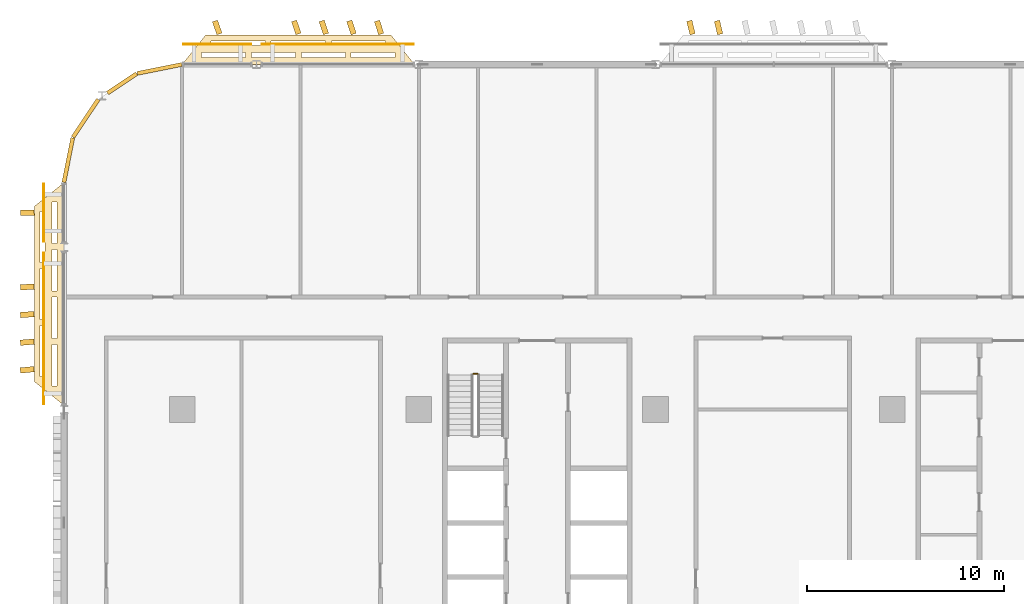
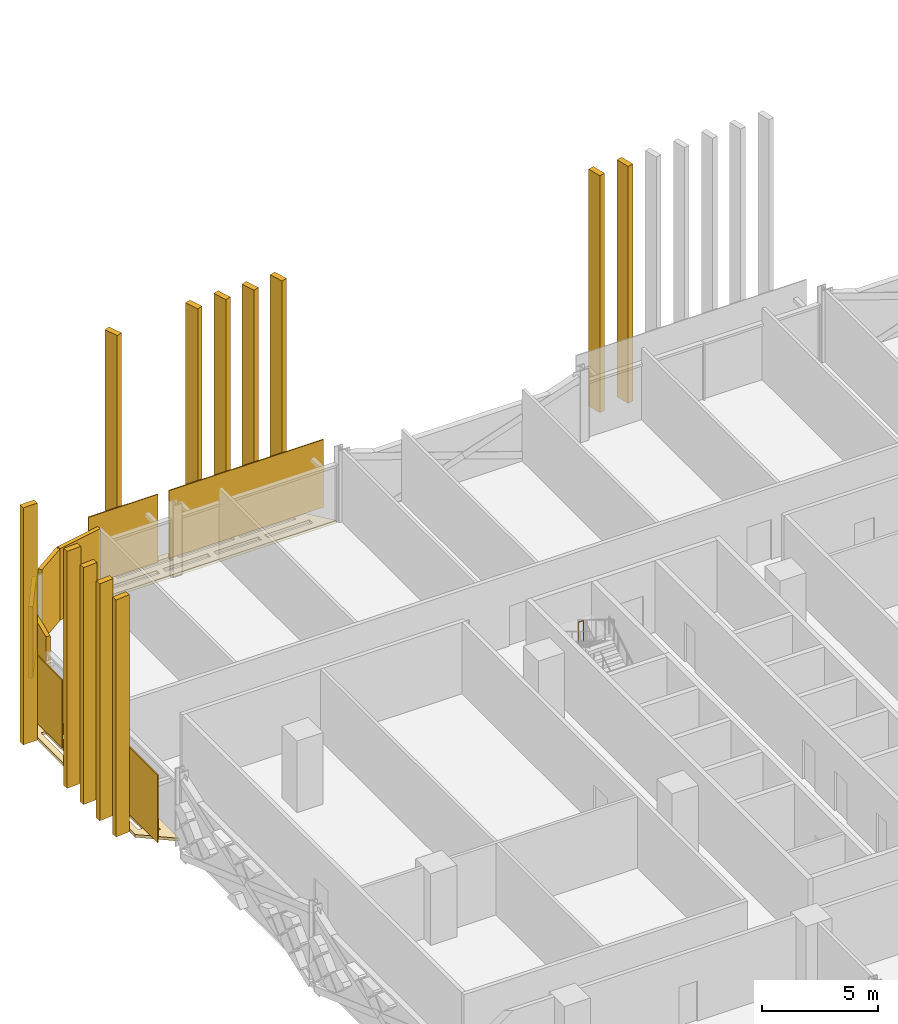
# One storey, part 27 of 33: 22 coverings, 1 railing.
"""IFC4 building model written with IfcOpenShell, lengths in metres."""

from ifc_helpers import new_model, si_unit, direction, frame, origin, origin_2d, place, context, subcontext, project, spatial, polyline, rectangle, circle, outline, extrude, material, layer, layer_set, type_object, element, save


model = new_model("IFC4")

# Units and contexts
model_context = context("Model", 3, precision=1e-05, world=origin(), true_north=direction((0.0, 1.0)))
body_context = subcontext(model_context, "Body", "Model", "MODEL_VIEW")
ifc_project = project(units=[si_unit("LENGTHUNIT", "METRE"), si_unit("AREAUNIT", "SQUARE_METRE"), si_unit("VOLUMEUNIT", "CUBIC_METRE"), si_unit("PLANEANGLEUNIT", "RADIAN"), si_unit("MASSUNIT", "GRAM", prefix="KILO")], contexts=[model_context])

# Site, building, storey
site_placement = place(None, origin())
site = spatial("IfcSite", under=ifc_project, at=site_placement, CompositionType="ELEMENT")
building_placement = place(site_placement, origin())
building = spatial("IfcBuilding", under=site, at=building_placement, Name="Mahtab Terrace Research Tower", CompositionType="ELEMENT")
storey_placement = place(building_placement, frame((0.0, 0.0, 122.0)))
storey = spatial("IfcBuildingStorey", under=building, at=storey_placement, Name="L28", CompositionType="ELEMENT", Elevation=122.0)

# Coverings
ifc_material_1 = material(Name="Black aluminium cladding panel", Category="aluminium")
ifc_layer_1 = layer(ifc_material_1, 0.199951171875)
ifc_layer_set_1 = layer_set([ifc_layer_1], Name="Black metal corner cladding 200")
covering_type_1 = type_object("IfcCoveringType", Name="Black metal corner cladding 200", PredefinedType="CLADDING", material=ifc_layer_set_1)
covering_1_placement = place(storey_placement, frame((-43.14794921875, 28.771484375, 0.0), z_axis=(0.0, 0.0, 1.0), x_axis=(-0.980760981187, -0.195212442692, 0.0)))
element("IfcCovering", 1, at=covering_1_placement, inside=storey, type_object=covering_type_1, Name="Corner cladding L28 11", PredefinedType="CLADDING", context=body_context, shape_type="SweptSolid", body=[
    extrude(rectangle(XDim=2.30126953125, YDim=0.199951171875, at=origin_2d()), origin(), (0.0, 0.0, 1.0), 3.760009765625),
])
covering_2_placement = place(storey_placement, frame((-45.049560546875, 28.039794921875, 0.0), z_axis=(0.0, 0.0, 1.0), x_axis=(-0.831655794326, -0.555291490808, 0.0)))
element("IfcCovering", 2, at=covering_2_placement, inside=storey, type_object=covering_type_1, Name="Corner cladding L28 12", PredefinedType="CLADDING", context=body_context, shape_type="SweptSolid", body=[
    extrude(rectangle(XDim=1.772216796875, YDim=0.199951171875, at=origin_2d()), origin(), (0.0, 0.0, 1.0), 3.760009765625),
])
for number, where, z_axis, x_axis, name in (
    (3, (-46.89306640625, 26.26953125, 0.0), (0.0, 0.0, 1.0), (-0.555291490808, -0.831655794326, 0.0), "Corner cladding L28 13"),
    (4, (-47.771484375, 24.14794921875, 0.0), (0.0, 0.0, 1.0), (-0.195212442692, -0.980760981187, 0.0), "Corner cladding L28 14"),
):
    element("IfcCovering", number, at=place(storey_placement, frame(where, z_axis=z_axis, x_axis=x_axis)), inside=storey, type_object=covering_type_1, Name=name, PredefinedType="CLADDING", context=body_context, shape_type="SweptSolid", body=[
        extrude(rectangle(XDim=2.30126953125, YDim=0.199951171875, at=origin_2d()), origin(), (0.0, 0.0, 1.0), 3.760009765625),
    ])
ifc_material_2 = material(Name="Black anodised aluminium", Category="aluminium")
ifc_layer_2 = layer(ifc_material_2, 0.14990234375)
ifc_layer_set_2 = layer_set([ifc_layer_2], Name="Horizontal sunshade band")
covering_type_2 = type_object("IfcCoveringType", Name="Horizontal sunshade band", PredefinedType="CLADDING", material=ifc_layer_set_2)
covering_3_placement = place(storey_placement, frame((0.0, 0.0, -0.14990234375)))
element("IfcCovering", 5, at=covering_3_placement, inside=storey, type_object=covering_type_2, Name="Sunshade band L28 9", PredefinedType="CLADDING", context=body_context, shape_type="SweptSolid", body=[
    extrude(outline(polyline([(-30.218017578125, 29.0), (-42.0, 29.0), (-40.800048828125, 30.5), (-31.41796875, 30.5), (-30.218017578125, 29.0)]), holes=[polyline([(-31.197998046875, 29.35009765625), (-33.427978515625, 29.35009765625), (-33.427978515625, 29.60009765625), (-31.197998046875, 29.60009765625), (-31.197998046875, 29.35009765625)]), polyline([(-33.72900390625, 29.35009765625), (-35.958984375, 29.35009765625), (-35.958984375, 29.60009765625), (-33.72900390625, 29.60009765625), (-33.72900390625, 29.35009765625)]), polyline([(-36.259033203125, 29.35009765625), (-38.489013671875, 29.35009765625), (-38.489013671875, 29.60009765625), (-36.259033203125, 29.60009765625), (-36.259033203125, 29.35009765625)]), polyline([(-38.7900390625, 29.35009765625), (-41.02001953125, 29.35009765625), (-41.02001953125, 29.60009765625), (-38.7900390625, 29.60009765625), (-38.7900390625, 29.35009765625)]), polyline([(-31.677978515625, 29.949951171875), (-34.431884765625, 29.949951171875), (-34.431884765625, 30.199951171875), (-31.677978515625, 30.199951171875), (-31.677978515625, 29.949951171875)]), polyline([(-34.73193359375, 29.949951171875), (-37.486083984375, 29.949951171875), (-37.486083984375, 30.199951171875), (-34.73193359375, 30.199951171875), (-34.73193359375, 29.949951171875)]), polyline([(-37.785888671875, 29.949951171875), (-40.5400390625, 29.949951171875), (-40.5400390625, 30.199951171875), (-37.785888671875, 30.199951171875), (-37.785888671875, 29.949951171875)])]), origin(), (0.0, 0.0, 1.0), 0.14990234375),
])
covering_4_placement = place(storey_placement, frame((0.0, 0.0, -0.14990234375)))
element("IfcCovering", 6, at=covering_4_placement, inside=storey, type_object=covering_type_2, Name="Sunshade band L28 15", PredefinedType="CLADDING", context=body_context, shape_type="SweptSolid", body=[
    extrude(outline(polyline([(-48.0, 23.0), (-48.0, 11.718017578125), (-49.5, 12.91796875), (-49.5, 21.800048828125), (-48.0, 23.0)]), holes=[polyline([(-48.35009765625, 22.02001953125), (-48.35009765625, 19.9150390625), (-48.60009765625, 19.9150390625), (-48.60009765625, 22.02001953125), (-48.35009765625, 22.02001953125)]), polyline([(-48.35009765625, 19.614013671875), (-48.35009765625, 17.509033203125), (-48.60009765625, 17.509033203125), (-48.60009765625, 19.614013671875), (-48.35009765625, 19.614013671875)]), polyline([(-48.35009765625, 17.208984375), (-48.35009765625, 15.10400390625), (-48.60009765625, 15.10400390625), (-48.60009765625, 17.208984375), (-48.35009765625, 17.208984375)]), polyline([(-48.35009765625, 14.803955078125), (-48.35009765625, 12.697998046875), (-48.60009765625, 12.697998046875), (-48.60009765625, 14.803955078125), (-48.35009765625, 14.803955078125)]), polyline([(-48.949951171875, 21.5400390625), (-48.949951171875, 18.952880859375), (-49.199951171875, 18.952880859375), (-49.199951171875, 21.5400390625), (-48.949951171875, 21.5400390625)]), polyline([(-48.949951171875, 18.653076171875), (-48.949951171875, 16.06494140625), (-49.199951171875, 16.06494140625), (-49.199951171875, 18.653076171875), (-48.949951171875, 18.653076171875)]), polyline([(-48.949951171875, 15.764892578125), (-48.949951171875, 13.177978515625), (-49.199951171875, 13.177978515625), (-49.199951171875, 15.764892578125), (-48.949951171875, 15.764892578125)])]), origin(), (0.0, 0.0, 1.0), 0.14990234375),
])
ifc_material_3 = material(Name="Bronze anodised aluminium", Category="aluminium")
ifc_layer_3 = layer(ifc_material_3, 0.050048828125)
ifc_layer_set_3 = layer_set([ifc_layer_3], Name="Sky lounge girih screen panel")
covering_type_3 = type_object("IfcCoveringType", Name="Sky lounge girih screen panel", PredefinedType="CLADDING", material=ifc_layer_set_3)
covering_5_placement = place(storey_placement, frame((-34.115478515625, 30.02490234375, 0.099853515625), z_axis=(0.0, 0.0, 1.0), x_axis=(-1.0, 0.0, 0.0)))
element("IfcCovering", 7, at=covering_5_placement, inside=storey, type_object=covering_type_3, Name="Girih screen L28 N10", PredefinedType="CLADDING", context=body_context, shape_type="SweptSolid", body=[
    extrude(rectangle(XDim=7.695068359375, YDim=0.050048828125, at=origin_2d()), origin(), (0.0, 0.0, 1.0), 3.56005859375),
])
covering_6_placement = place(storey_placement, frame((-40.224609375, 30.02490234375, 0.099853515625), z_axis=(0.0, 0.0, 1.0), x_axis=(-1.0, 0.0, 0.0)))
element("IfcCovering", 8, at=covering_6_placement, inside=storey, type_object=covering_type_3, Name="Girih screen L28 N11", PredefinedType="CLADDING", context=body_context, shape_type="SweptSolid", body=[
    extrude(rectangle(XDim=3.450927734375, YDim=0.050048828125, at=origin_2d()), origin(), (0.0, 0.0, 1.0), 3.56005859375),
])
covering_7_placement = place(storey_placement, frame((-49.02490234375, 21.474609375, 0.099853515625), z_axis=(0.0, 0.0, 1.0), x_axis=(0.0, -1.0, 0.0)))
element("IfcCovering", 9, at=covering_7_placement, inside=storey, type_object=covering_type_3, Name="Girih screen L28 W16", PredefinedType="CLADDING", context=body_context, shape_type="SweptSolid", body=[
    extrude(rectangle(XDim=2.950927734375, YDim=0.050048828125, at=origin_2d()), origin(), (0.0, 0.0, 1.0), 3.56005859375),
])
covering_8_placement = place(storey_placement, frame((-49.02490234375, 15.615478515625, 0.099853515625), z_axis=(0.0, 0.0, 1.0), x_axis=(0.0, -1.0, 0.0)))
element("IfcCovering", 10, at=covering_8_placement, inside=storey, type_object=covering_type_3, Name="Girih screen L28 W17", PredefinedType="CLADDING", context=body_context, shape_type="SweptSolid", body=[
    extrude(rectangle(XDim=7.695068359375, YDim=0.050048828125, at=origin_2d()), origin(), (0.0, 0.0, 1.0), 3.56005859375),
])

# Railing
ifc_material_4 = material(Name="Stainless steel AISI 304", Category="steel")
railing_type = type_object("IfcRailingType", Name="Stair guard 1100", PredefinedType="GUARDRAIL", material=ifc_material_4)
railing_placement = place(storey_placement, frame((-27.0, 13.304931640625, 2.050048828125)))
element("IfcRailing", 11, at=railing_placement, inside=storey, type_object=railing_type, Name="L28 ST1 stair guard 2", PredefinedType="GUARDRAIL", context=body_context, shape_type="SweptSolid", body=[
    extrude(circle(Radius=0.02392578125, at=origin_2d()), frame((0.0, 0.0, 1.076171875), z_axis=(-1.0, 0.0, 0.0), x_axis=(0.0, -1.0, 0.0)), (0.0, 0.0, 1.0), 0.25),
    extrude(circle(Radius=0.02099609375, at=origin_2d()), origin(), (0.0, 0.0, 1.0), 1.052001953125),
    extrude(circle(Radius=0.02099609375, at=origin_2d()), frame((-0.25, 0.0, 0.0)), (0.0, 0.0, 1.0), 1.052001953125),
])

# Coverings
ifc_layer_4 = layer(ifc_material_3, 0.1201171875)
ifc_layer_set_4 = layer_set([ifc_layer_4], Name="Vertical fin 700")
covering_type_4 = type_object("IfcCoveringType", Name="Vertical fin 700", PredefinedType="CLADDING", material=ifc_layer_set_4)
for number, where, z_axis, x_axis, name in (
    (12, (-14.800048828125, 30.873046875, -0.14990234375), (0.0, 0.0, 1.0), (-0.972272827152, -0.233849416469, 0.0), "Fin L28 N6"),
    (13, (-16.199951171875, 30.873291015625, -0.14990234375), (0.0, 0.0, 1.0), (-0.970895900159, -0.239501881108, 0.0), "Fin L28 N7"),
    (14, (-32.015380859375, 30.8759765625, -0.14990234375), (0.0, 0.0, 1.0), (-0.953070595846, -0.302748145053, 0.0), "Fin L28 N1"),
    (15, (-33.41552734375, 30.876220703125, -0.14990234375), (0.0, 0.0, 1.0), (-0.951293159517, -0.308287730303, 0.0), "Fin L28 N2"),
    (16, (-34.8154296875, 30.876220703125, -0.14990234375), (0.0, 0.0, 1.0), (-0.949483525455, -0.313816881143, 0.0), "Fin L28 N3"),
    (17, (-36.215576171875, 30.87646484375, -0.14990234375), (0.0, 0.0, 1.0), (-0.947641754903, -0.319335410447, 0.0), "Fin L28 N4"),
    (18, (-40.224609375, 30.876708984375, -0.14990234375), (0.0, 0.0, 1.0), (-0.942190504106, -0.335077683489, 0.0), "Fin L28 N1"),
    (19, (-49.85205078125, 21.474609375, -0.14990234375), (0.0, 0.0, 1.0), (0.0156611231, -0.999877357091, 0.0), "Fin L28 W1"),
    (20, (-49.857177734375, 17.715576171875, -0.14990234375), (0.0, 0.0, 1.0), (0.054227460867, -0.998528608748, 0.0), "Fin L28 W1"),
    (21, (-49.85888671875, 16.3154296875, -0.14990234375), (0.0, 0.0, 1.0), (0.068573516302, -0.997646065928, 0.0), "Fin L28 W2"),
    (22, (-49.8603515625, 14.91552734375, -0.14990234375), (0.0, 0.0, 1.0), (0.082905405241, -0.996557421217, 0.0), "Fin L28 W3"),
    (23, (-49.862060546875, 13.515380859375, -0.14990234375), (0.0, 0.0, 1.0), (0.09722016692, -0.995262899511, 0.0), "Fin L28 W4"),
):
    element("IfcCovering", number, at=place(storey_placement, frame(where, z_axis=z_axis, x_axis=x_axis)), inside=storey, type_object=covering_type_4, Name=name, PredefinedType="CLADDING", context=body_context, shape_type="SweptSolid", body=[
        extrude(rectangle(XDim=0.280029296875, YDim=0.699951171875, at=origin_2d()), origin(), (0.0, 0.0, 1.0), 12.449951171875),
    ])

save(model, "model.ifc")
